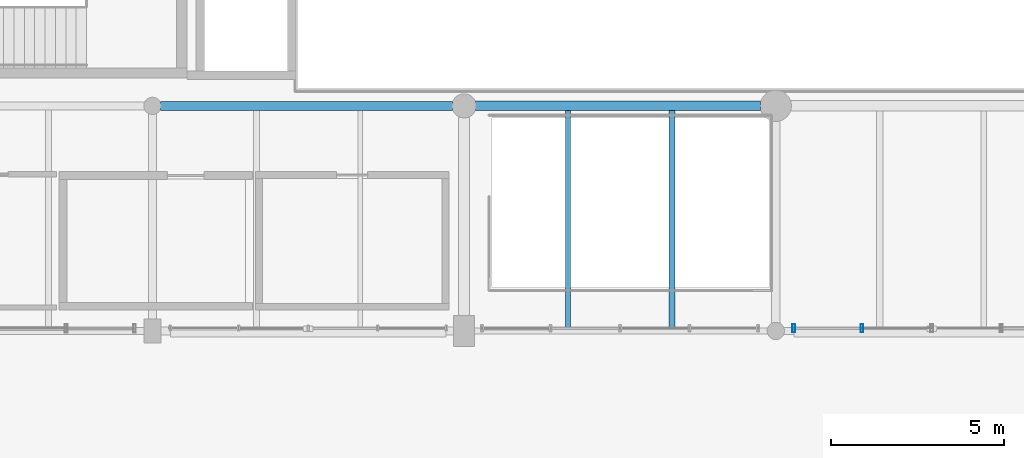
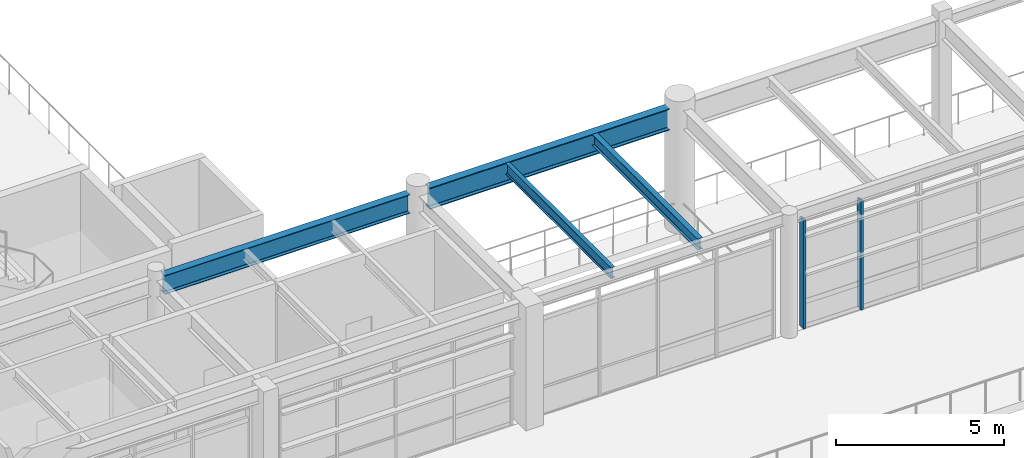
# One storey, part 45 of 200: 4 beams, 2 members, 1 element without a shape of its own.
"""IFC4 building model written with IfcOpenShell, lengths in metres."""

import ifcopenshell
import ifcopenshell.guid

model = None  # the IFC model being written
_history = None  # IfcOwnerHistory: only IFC2X3 demands one
_inside = {}  # id of a spatial element -> (the spatial element, [elements in it])
_under = {}  # id of a project, library or spatial element -> (it, [spatial elements below it])
_declared = {}  # id of a project -> (the project, [libraries it declares])
_typed = {}  # id of a type object -> (the type object, [elements of that type])
_made_of = {}  # id of a material, layer set ... -> (it, [elements and type objects made of it])


def new_model(schema):
    """Start an empty IFC model of exactly this schema.

    Asked for "IFC4X3", IfcOpenShell would pick the latest addendum, in which some entities
    have other attributes; the version numbers below select the first issue.
    IFC2X3 requires an IfcOwnerHistory on every rooted entity: one is made here for all.
    """
    global model, _history
    if schema == "IFC4X3":
        model = ifcopenshell.file(schema_version=(4, 3, 0, 0))
    else:
        model = ifcopenshell.file(schema=schema)
    _inside.clear()
    _under.clear()
    _declared.clear()
    _typed.clear()
    _made_of.clear()
    _history = None
    if model.schema == "IFC2X3":
        org = make("IfcOrganization", Name="unknown")
        user = make(
            "IfcPersonAndOrganization",
            ThePerson=make("IfcPerson", FamilyName="unknown"),
            TheOrganization=org,
        )
        app = make(
            "IfcApplication",
            ApplicationDeveloper=org,
            Version="unknown",
            ApplicationFullName="unknown",
            ApplicationIdentifier="unknown",
        )
        _history = make(
            "IfcOwnerHistory",
            OwningUser=user,
            OwningApplication=app,
            ChangeAction="ADDED",
            CreationDate=0,
        )
    return model


def make(cls, **values):
    """One entity of the class cls with the attributes given. An attribute that is None is left unset."""
    return model.create_entity(
        cls, **{name: value for name, value in values.items() if value is not None}
    )


def rooted(cls, **values):
    """An entity with a GlobalId (a new one), such as an element, a storey or a relation."""
    return make(cls, GlobalId=ifcopenshell.guid.new(), OwnerHistory=_history, **values)


def si_unit(unit_type, name, prefix=None):
    """IfcSIUnit, for example si_unit("LENGTHUNIT", "METRE", prefix="MILLI")."""
    return make("IfcSIUnit", UnitType=unit_type, Prefix=prefix, Name=name)


def assignment(units):
    """IfcUnitAssignment: the units of a project."""
    return None if units is None else make("IfcUnitAssignment", Units=units)


def point(xyz):
    """IfcCartesianPoint."""
    return None if xyz is None else make("IfcCartesianPoint", Coordinates=xyz)


def direction(xyz):
    """IfcDirection."""
    return None if xyz is None else make("IfcDirection", DirectionRatios=xyz)


def frame(location, z_axis=None, x_axis=None):
    """IfcAxis2Placement3D, a coordinate frame: its origin and axes. An axis left out is left unset."""
    return make(
        "IfcAxis2Placement3D",
        Location=point(location),
        Axis=direction(z_axis),
        RefDirection=direction(x_axis),
    )


def frame_2d(location, x_axis=None):
    """IfcAxis2Placement2D, a coordinate frame in the plane: its origin and x axis."""
    return make(
        "IfcAxis2Placement2D", Location=point(location), RefDirection=direction(x_axis)
    )


def origin():
    """The frame at (0, 0, 0) with its axes left unset."""
    return frame((0.0, 0.0, 0.0))


def origin_2d():
    """The frame at (0, 0) in the plane with its x axis left unset."""
    return frame_2d((0.0, 0.0))


def place(relative_to, where):
    """IfcLocalPlacement: puts the frame where relative to a parent placement (None: the world)."""
    return make(
        "IfcLocalPlacement", PlacementRelTo=relative_to, RelativePlacement=where
    )


def context(
    kind, dimensions, precision=None, world=None, true_north=None, identifier=None
):
    """IfcGeometricRepresentationContext, for example the 3D "Model" context."""
    return make(
        "IfcGeometricRepresentationContext",
        ContextIdentifier=identifier,
        ContextType=kind,
        CoordinateSpaceDimension=dimensions,
        Precision=precision,
        WorldCoordinateSystem=world,
        TrueNorth=true_north,
    )


def subcontext(parent, identifier, kind, view, scale=None):
    """IfcGeometricRepresentationSubContext, for example "Body" below "Model"."""
    return make(
        "IfcGeometricRepresentationSubContext",
        ContextIdentifier=identifier,
        ContextType=kind,
        ParentContext=parent,
        TargetScale=scale,
        TargetView=view,
    )


def project(units=None, contexts=None):
    """IfcProject with its units and contexts."""
    return rooted(
        "IfcProject",
        Name="project",
        RepresentationContexts=contexts,
        UnitsInContext=assignment(units),
    )


def spatial(cls, under=None, at=None, **own):
    """A site, building, storey or space (cls), placed at a placement, below another one or the project."""
    s = rooted(cls, ObjectPlacement=at, **own)
    if under is not None:
        _under.setdefault(under.id(), (under, []))[1].append(s)
    return s


def profile(cls, at=None, kind="AREA", **sizes):
    """A parametric profile (cls). Its sizes go by their IFC names, for example OverallWidth=200.0."""
    return make(cls, ProfileType=kind, Position=at, **sizes)


def hollow_rectangle(**sizes):
    """IfcRectangleHollowProfileDef."""
    return profile("IfcRectangleHollowProfileDef", **sizes)


def i_section(**sizes):
    """IfcIShapeProfileDef."""
    return profile("IfcIShapeProfileDef", **sizes)


def extrude(swept, where, along, depth):
    """IfcExtrudedAreaSolid: the profile swept, set in the frame where, extruded along a direction by depth."""
    return make(
        "IfcExtrudedAreaSolid",
        SweptArea=swept,
        Position=where,
        ExtrudedDirection=direction(along),
        Depth=depth,
    )


def shape(context_of_items, identifier, shape_type, items):
    """IfcShapeRepresentation: the items that make up one representation, for example the "Body"."""
    return make(
        "IfcShapeRepresentation",
        ContextOfItems=context_of_items,
        RepresentationIdentifier=identifier,
        RepresentationType=shape_type,
        Items=items,
    )


def material(Name=None, Category=None):
    """IfcMaterial."""
    return make("IfcMaterial", Name=Name, Category=Category)


def material_profile(
    of_material, cross_section, Name=None, Category=None, Priority=None
):
    """IfcMaterialProfile: a cross section and its material."""
    return make(
        "IfcMaterialProfile",
        Name=Name,
        Material=of_material,
        Profile=cross_section,
        Priority=Priority,
        Category=Category,
    )


def profile_set(profiles, Name=None, composite=None):
    """IfcMaterialProfileSet."""
    return make(
        "IfcMaterialProfileSet",
        Name=Name,
        MaterialProfiles=profiles,
        CompositeProfile=composite,
    )


def made_of(thing, what):
    """Note that an element or type object is made of a material, layer set ...; save() writes the relation."""
    if what is not None:
        _made_of.setdefault(what.id(), (what, []))[1].append(thing)
    return thing


def type_object(cls, material=None, **own):
    """A type object (cls), such as IfcWallType, which elements share."""
    return made_of(rooted(cls, **own), material)


def element(
    cls,
    number,
    at=None,
    inside=None,
    cuts=None,
    type_object=None,
    material=None,
    context=None,
    identifier="Body",
    shape_type=None,
    held_by="IfcProductDefinitionShape",
    body=None,
    shapes=None,
    **own,
):
    """One element of the class cls, such as IfcWall. Its Tag is "e" and its number.

    at: its placement. inside: the storey or other place that contains it. cuts: it is an
    opening in that element (IfcRelVoidsElement). A single representation is given by context,
    identifier, shape_type and body (its items); several are given by shapes. held_by: the class
    of the entity that holds the representations. save() writes the other relations.
    """
    e = rooted(cls, Tag="e%d" % number, ObjectPlacement=at, **own)
    if body is not None:
        shapes = [shape(context, identifier, shape_type, body)]
    if shapes is not None:
        e.Representation = make(held_by, Representations=shapes)
    if inside is not None:
        _inside.setdefault(inside.id(), (inside, []))[1].append(e)
    if cuts is not None:
        rooted(
            "IfcRelVoidsElement", RelatingBuildingElement=cuts, RelatedOpeningElement=e
        )
    if type_object is not None:
        _typed.setdefault(type_object.id(), (type_object, []))[1].append(e)
    return made_of(e, material)


def aggregate(whole, parts):
    """IfcRelAggregates: a whole, such as a stair, and the parts it consists of."""
    return rooted("IfcRelAggregates", RelatingObject=whole, RelatedObjects=parts)


def save(model, path):
    """Write the relations noted so far, then the file.

    IfcRelAggregates (storeys below a building ...), IfcRelContainedInSpatialStructure (elements
    in a storey), IfcRelDefinesByType, IfcRelAssociatesMaterial and IfcRelDeclares: one each for
    every whole, place, type object, material and project.
    """
    for whole, parts in _under.values():
        aggregate(whole, parts)
    for where, things in _inside.values():
        rooted(
            "IfcRelContainedInSpatialStructure",
            RelatedElements=things,
            RelatingStructure=where,
        )
    for kind, things in _typed.values():
        rooted("IfcRelDefinesByType", RelatedObjects=things, RelatingType=kind)
    for what, things in _made_of.values():
        rooted("IfcRelAssociatesMaterial", RelatedObjects=things, RelatingMaterial=what)
    for by, libraries in _declared.values():
        rooted("IfcRelDeclares", RelatingContext=by, RelatedDefinitions=libraries)
    model.write(path)


model = new_model("IFC4")

# Units and contexts
model_context = context("Model", 3, precision=1e-05, world=origin(), true_north=direction((0.0, 1.0)))
body_context = subcontext(model_context, "Body", "Model", "MODEL_VIEW")
ifc_project = project(units=[si_unit("LENGTHUNIT", "METRE"), si_unit("AREAUNIT", "SQUARE_METRE"), si_unit("VOLUMEUNIT", "CUBIC_METRE"), si_unit("PLANEANGLEUNIT", "RADIAN"), si_unit("MASSUNIT", "GRAM", prefix="KILO"), si_unit("THERMODYNAMICTEMPERATUREUNIT", "KELVIN"), si_unit("POWERUNIT", "WATT")], contexts=[model_context])

# Site, building, storey
site_placement = place(None, origin())
site = spatial("IfcSite", under=ifc_project, at=site_placement, CompositionType="ELEMENT")
building_placement = place(site_placement, origin())
building = spatial("IfcBuilding", under=site, at=building_placement, Name="Tepalcoro Natatorium and Aquatics Centre", CompositionType="ELEMENT")
storey_placement = place(building_placement, frame((0.0, 0.0, 5.39990234375)))
storey = spatial("IfcBuildingStorey", under=building, at=storey_placement, Name="L01", CompositionType="ELEMENT", Elevation=5.39990234375)

# Beams
ifc_material_1 = material(Name="Steel ASTM A992 Grade 50 (Fy 345 MPa)", Category="steel")
ifc_material_profile_1 = material_profile(ifc_material_1, i_section(OverallWidth=0.25390625, OverallDepth=0.68798828125, WebThickness=0.012939453125, FlangeThickness=0.02099609375, FilletRadius=0.013916015625, at=origin_2d()), Name="W27X102")
ifc_profile_set_1 = profile_set([ifc_material_profile_1], Name="Steel ASTM A992 Grade 50 (Fy 345 MPa)")
beam_type_1 = type_object("IfcBeamType", Name="BM_W27x102", PredefinedType="BEAM", material=ifc_profile_set_1)
beam_1_placement = place(storey_placement, frame((62.235107421875, 13.0, 4.12109375), z_axis=(1.0, 0.0, 0.0), x_axis=(0.0, 1.0, 0.0)))
element("IfcBeam", 1, at=beam_1_placement, inside=storey, type_object=beam_type_1, Name="V1 L01 Grid Girder X", PredefinedType="BEAM", context=body_context, shape_type="SweptSolid", body=[
    extrude(i_section(OverallWidth=0.25390625, OverallDepth=0.68798828125, WebThickness=0.012939453125, FlangeThickness=0.02099609375, FilletRadius=0.013916015625, at=origin_2d()), origin(), (0.0, 0.0, 1.0), 8.429931640625),
])
ifc_material_profile_2 = material_profile(ifc_material_1, i_section(OverallWidth=0.26708984375, OverallDepth=0.780029296875, WebThickness=0.01708984375, FlangeThickness=0.030029296875, FilletRadius=0.013916015625, at=origin_2d()), Name="W30X148")
ifc_profile_set_2 = profile_set([ifc_material_profile_2], Name="Steel ASTM A992 Grade 50 (Fy 345 MPa)")
beam_type_2 = type_object("IfcBeamType", Name="BM_W30x148", PredefinedType="BEAM", material=ifc_profile_set_2)
beam_2_placement = place(storey_placement, frame((71.3349609375, 13.0, 4.0751953125), z_axis=(1.0, 0.0, 0.0), x_axis=(0.0, 1.0, 0.0)))
element("IfcBeam", 2, at=beam_2_placement, inside=storey, type_object=beam_type_2, Name="V1 L01 Grid Girder X", PredefinedType="BEAM", context=body_context, shape_type="SweptSolid", body=[
    extrude(i_section(OverallWidth=0.26708984375, OverallDepth=0.780029296875, WebThickness=0.01708984375, FlangeThickness=0.030029296875, FilletRadius=0.013916015625, at=origin_2d()), origin(), (0.0, 0.0, 1.0), 8.22998046875),
])

# Curtain wall, members
ifc_material_2 = material(Name="Bronze-Anodised Extruded Aluminium Alloy EN AW-6063 T6", Category="aluminium")
curtain_wall_type = type_object("IfcCurtainWallType", Name="CW_V5_UPPER", PredefinedType="USERDEFINED", material=ifc_material_2)
curtain_wall_placement = place(storey_placement, origin())
curtain_wall = element("IfcCurtainWall", 3, at=curtain_wall_placement, inside=storey, type_object=curtain_wall_type, Name="V1 L01 S Unitised Curtain Wall Bay 5", ObjectType="FACETED SOLAR GLAZING", PredefinedType="USERDEFINED")
ifc_material_profile_3 = material_profile(ifc_material_2, hollow_rectangle(XDim=0.080078125, YDim=0.239990234375, WallThickness=0.0048828125, at=origin_2d()), Name="AL80X240X5")
ifc_profile_set_3 = profile_set([ifc_material_profile_3], Name="Bronze-Anodised Extruded Aluminium Alloy EN AW-6063 T6")
member_type = type_object("IfcMemberType", Name="CW_MUL_80x240", PredefinedType="MULLION", material=ifc_profile_set_3)
member_1_placement = place(storey_placement, frame((80.52001953125, 6.580078125, 0.02001953125), z_axis=(0.0, 0.0, 1.0), x_axis=(1.0, 0.0, 0.0)))
member_1 = element("IfcMember", 4, at=member_1_placement, type_object=member_type, Name="CW_V5_UPPER Curtain Wall Mullion", PredefinedType="MULLION", context=body_context, shape_type="SweptSolid", body=[
    extrude(hollow_rectangle(XDim=0.080078125, YDim=0.239990234375, WallThickness=0.0048828125, at=origin_2d()), origin(), (0.0, 0.0, 1.0), 3.9501953125),
])
member_2_placement = place(storey_placement, frame((82.489990234375, 6.580078125, 0.02001953125), z_axis=(0.0, 0.0, 1.0), x_axis=(1.0, 0.0, 0.0)))
member_2 = element("IfcMember", 5, at=member_2_placement, type_object=member_type, Name="CW_V5_UPPER Curtain Wall Mullion", PredefinedType="MULLION", context=body_context, shape_type="SweptSolid", body=[
    extrude(hollow_rectangle(XDim=0.080078125, YDim=0.239990234375, WallThickness=0.0048828125, at=origin_2d()), origin(), (0.0, 0.0, 1.0), 3.9501953125),
])
aggregate(curtain_wall, [member_1, member_2])

# Beams
ifc_material_profile_4 = material_profile(ifc_material_1, i_section(OverallWidth=0.139892578125, OverallDepth=0.404052734375, WebThickness=0.007080078125, FlangeThickness=0.010986328125, FilletRadius=0.013916015625, at=origin_2d()), Name="W16X31")
ifc_profile_set_4 = profile_set([ifc_material_profile_4], Name="Steel ASTM A992 Grade 50 (Fy 345 MPa)")
beam_type_3 = type_object("IfcBeamType", Name="JS_W16x31", PredefinedType="JOIST", material=ifc_profile_set_4)
beam_3_placement = place(storey_placement, frame((74.0, 6.590087890625, 4.26318359375), z_axis=(0.0, 1.0, 0.0), x_axis=(-1.0, 0.0, 0.0)))
element("IfcBeam", 6, at=beam_3_placement, inside=storey, type_object=beam_type_3, Name="V1 L01 Floor Joist", PredefinedType="JOIST", context=body_context, shape_type="SweptSolid", body=[
    extrude(i_section(OverallWidth=0.139892578125, OverallDepth=0.404052734375, WebThickness=0.007080078125, FlangeThickness=0.010986328125, FilletRadius=0.013916015625, at=origin_2d()), origin(), (0.0, 0.0, 1.0), 6.2763671875),
])
ifc_material_profile_5 = material_profile(ifc_material_1, i_section(OverallWidth=0.178955078125, OverallDepth=0.409912109375, WebThickness=0.009033203125, FlangeThickness=0.013916015625, FilletRadius=0.013916015625, at=origin_2d()), Name="W16X45")
ifc_profile_set_5 = profile_set([ifc_material_profile_5], Name="Steel ASTM A992 Grade 50 (Fy 345 MPa)")
beam_type_4 = type_object("IfcBeamType", Name="JS_W16x45", PredefinedType="JOIST", material=ifc_profile_set_5)
beam_4_placement = place(storey_placement, frame((77.0, 6.590087890625, 4.260009765625), z_axis=(0.0, 1.0, 0.0), x_axis=(-1.0, 0.0, 0.0)))
element("IfcBeam", 7, at=beam_4_placement, inside=storey, type_object=beam_type_4, Name="V1 L01 Floor Joist", PredefinedType="JOIST", context=body_context, shape_type="SweptSolid", body=[
    extrude(i_section(OverallWidth=0.178955078125, OverallDepth=0.409912109375, WebThickness=0.009033203125, FlangeThickness=0.013916015625, FilletRadius=0.013916015625, at=origin_2d()), origin(), (0.0, 0.0, 1.0), 6.2763671875),
])

save(model, "model.ifc")
